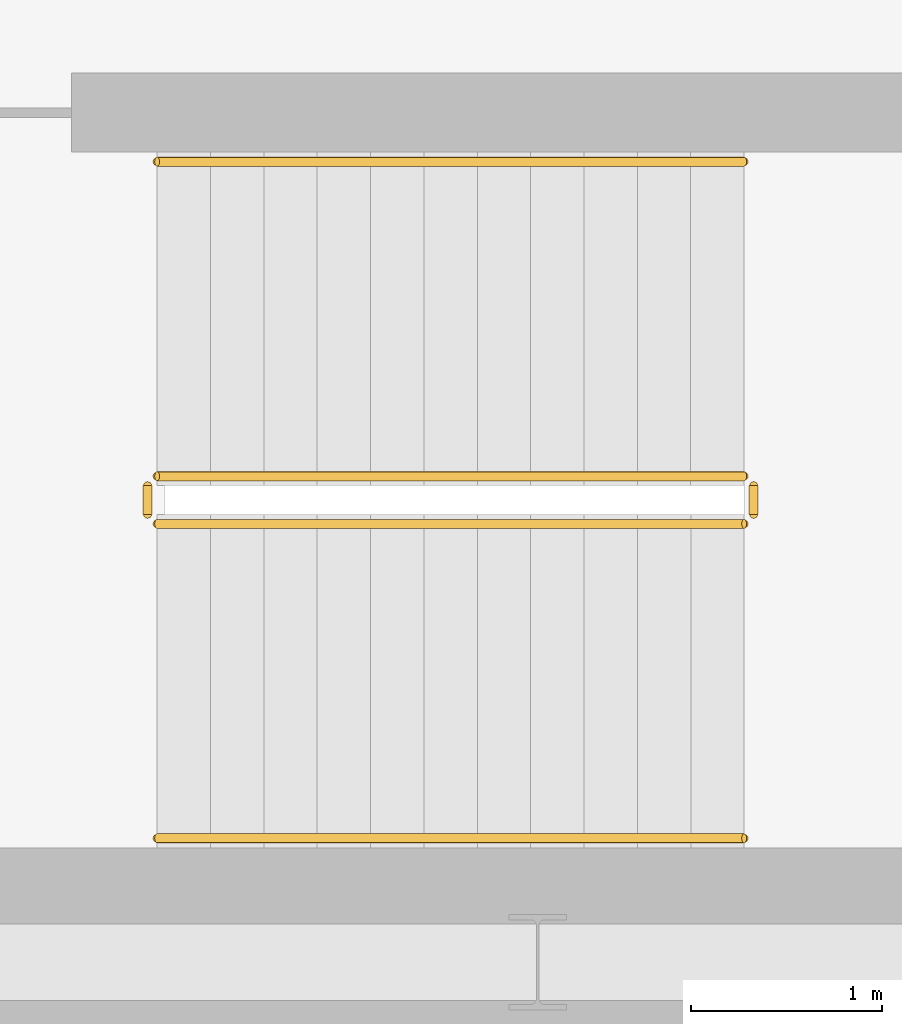
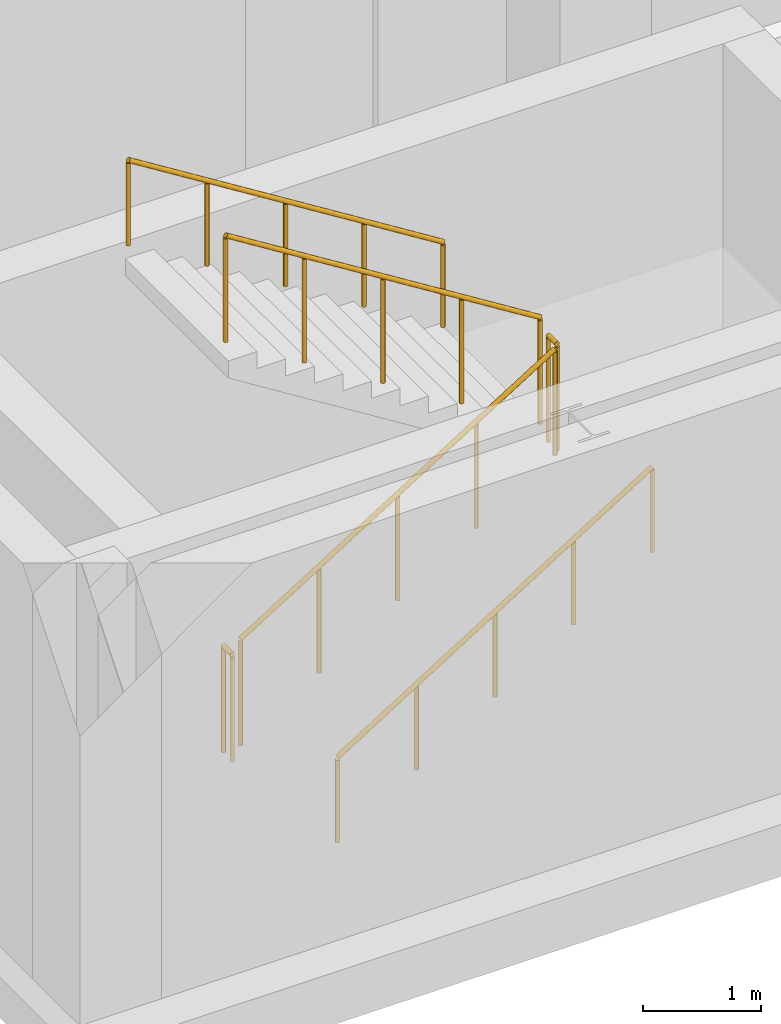
# One storey, part 26 of 31: 6 railings.
"""IFC4 building model written with IfcOpenShell, lengths in metres."""

from ifc_helpers import new_model, si_unit, direction, frame, origin, origin_2d, place, context, subcontext, project, spatial, circle, extrude, material, type_object, element, save


model = new_model("IFC4")

# Units and contexts
model_context = context("Model", 3, precision=1e-05, world=origin(), true_north=direction((0.0, 1.0)))
body_context = subcontext(model_context, "Body", "Model", "MODEL_VIEW")
ifc_project = project(units=[si_unit("LENGTHUNIT", "METRE"), si_unit("AREAUNIT", "SQUARE_METRE"), si_unit("VOLUMEUNIT", "CUBIC_METRE"), si_unit("PLANEANGLEUNIT", "RADIAN"), si_unit("MASSUNIT", "GRAM", prefix="KILO")], contexts=[model_context])

# Site, building, storey
site_placement = place(None, origin())
site = spatial("IfcSite", under=ifc_project, at=site_placement, CompositionType="ELEMENT")
building_placement = place(site_placement, origin())
building = spatial("IfcBuilding", under=site, at=building_placement, Name="Qalavern Law Courts", CompositionType="ELEMENT")
storey_placement = place(building_placement, frame((0.0, 0.0, -4.199951171875)))
storey = spatial("IfcBuildingStorey", under=building, at=storey_placement, Name="B1", CompositionType="ELEMENT", Elevation=-4.199951171875)

# Railings
ifc_material = material(Name="Steel S355", Category="steel")
railing_type_1 = type_object("IfcRailingType", Name="INT-GUARD-1120", PredefinedType="BALUSTRADE", material=ifc_material)
railing_1_placement = place(storey_placement, frame((37.35009765625, 7.89990234375, 0.175048828125)))
element("IfcRailing", 1, at=railing_1_placement, inside=storey, type_object=railing_type_1, Name="B1 ST-K4 stair guard 1", PredefinedType="BALUSTRADE", context=body_context, shape_type="SweptSolid", body=[
    extrude(circle(Radius=0.02392578125, at=origin_2d()), frame((0.0, 0.0, 1.09619140625), z_axis=(0.848009633417, 0.0, 0.529980812513), x_axis=(0.0, 1.0, 0.0)), (0.0, 0.0, 1.0), 3.6318359375),
    extrude(circle(Radius=0.02099609375, at=origin_2d()), origin(), (0.0, 0.0, 1.0), 1.072021484375),
    extrude(circle(Radius=0.02099609375, at=origin_2d()), frame((0.77001953125, 0.0, 0.481201171875)), (0.0, 0.0, 1.0), 1.072021484375),
    extrude(circle(Radius=0.02099609375, at=origin_2d()), frame((1.5400390625, 0.0, 0.96240234375)), (0.0, 0.0, 1.0), 1.072021484375),
    extrude(circle(Radius=0.02099609375, at=origin_2d()), frame((2.309814453125, 0.0, 1.443603515625)), (0.0, 0.0, 1.0), 1.072021484375),
    extrude(circle(Radius=0.02099609375, at=origin_2d()), frame((3.079833984375, 0.0, 1.9248046875)), (0.0, 0.0, 1.0), 1.072021484375),
])
railing_2_placement = place(storey_placement, frame((40.47998046875, 7.949951171875, 2.099853515625)))
element("IfcRailing", 2, at=railing_2_placement, inside=storey, type_object=railing_type_1, Name="B1 ST-K4 stair guard 2", PredefinedType="BALUSTRADE", context=body_context, shape_type="SweptSolid", body=[
    extrude(circle(Radius=0.02392578125, at=origin_2d()), frame((0.0, 0.0, 1.09619140625), z_axis=(0.0, 1.0, 0.0), x_axis=(-1.0, 0.0, 0.0)), (0.0, 0.0, 1.0), 0.150146484375),
    extrude(circle(Radius=0.02099609375, at=origin_2d()), origin(), (0.0, 0.0, 1.0), 1.072021484375),
    extrude(circle(Radius=0.02099609375, at=origin_2d()), frame((0.0, 0.150146484375, 0.0)), (0.0, 0.0, 1.0), 1.072021484375),
])
railing_3_placement = place(storey_placement, frame((40.429931640625, 8.14990234375, 2.27490234375)))
element("IfcRailing", 3, at=railing_3_placement, inside=storey, type_object=railing_type_1, Name="B1 ST-K4 stair guard 3", PredefinedType="BALUSTRADE", context=body_context, shape_type="SweptSolid", body=[
    extrude(circle(Radius=0.02392578125, at=origin_2d()), frame((0.0, 0.0, 1.09619140625), z_axis=(-0.847979421464, 0.0, 0.530029150871), x_axis=(0.0, -1.0, 0.0)), (0.0, 0.0, 1.0), 3.632080078125),
    extrude(circle(Radius=0.02099609375, at=origin_2d()), origin(), (0.0, 0.0, 1.0), 1.072021484375),
    extrude(circle(Radius=0.02099609375, at=origin_2d()), frame((-0.77001953125, 0.0, 0.481201171875)), (0.0, 0.0, 1.0), 1.072021484375),
    extrude(circle(Radius=0.02099609375, at=origin_2d()), frame((-1.5400390625, 0.0, 0.96240234375)), (0.0, 0.0, 1.0), 1.072021484375),
    extrude(circle(Radius=0.02099609375, at=origin_2d()), frame((-2.309814453125, 0.0, 1.44384765625)), (0.0, 0.0, 1.0), 1.072021484375),
    extrude(circle(Radius=0.02099609375, at=origin_2d()), frame((-3.079833984375, 0.0, 1.925048828125)), (0.0, 0.0, 1.0), 1.072021484375),
])
railing_4_placement = place(storey_placement, frame((37.300048828125, 7.949951171875, 0.0)))
element("IfcRailing", 4, at=railing_4_placement, inside=storey, type_object=railing_type_1, Name="B1 ST-K4 stair guard 4", PredefinedType="BALUSTRADE", context=body_context, shape_type="SweptSolid", body=[
    extrude(circle(Radius=0.02392578125, at=origin_2d()), frame((0.0, 0.0, 1.09619140625), z_axis=(0.0, 1.0, 0.0), x_axis=(-1.0, 0.0, 0.0)), (0.0, 0.0, 1.0), 0.150146484375),
    extrude(circle(Radius=0.02099609375, at=origin_2d()), origin(), (0.0, 0.0, 1.0), 1.072021484375),
    extrude(circle(Radius=0.02099609375, at=origin_2d()), frame((0.0, 0.150146484375, 0.0)), (0.0, 0.0, 1.0), 1.072021484375),
])
railing_type_2 = type_object("IfcRailingType", Name="INT-HRAIL-920", PredefinedType="HANDRAIL", material=ifc_material)
railing_5_placement = place(storey_placement, frame((37.35009765625, 6.25, 0.175048828125)))
element("IfcRailing", 5, at=railing_5_placement, inside=storey, type_object=railing_type_2, Name="B1 ST-K4 stair handrail 1", PredefinedType="HANDRAIL", context=body_context, shape_type="SweptSolid", body=[
    extrude(circle(Radius=0.02392578125, at=origin_2d()), frame((0.0, 0.0, 0.8759765625), z_axis=(0.848009633417, 0.0, 0.529980812513), x_axis=(0.0, 1.0, 0.0)), (0.0, 0.0, 1.0), 3.6318359375),
    extrude(circle(Radius=0.02099609375, at=origin_2d()), origin(), (0.0, 0.0, 1.0), 0.851806640625),
    extrude(circle(Radius=0.02099609375, at=origin_2d()), frame((0.77001953125, 0.0, 0.481201171875)), (0.0, 0.0, 1.0), 0.851806640625),
    extrude(circle(Radius=0.02099609375, at=origin_2d()), frame((1.5400390625, 0.0, 0.96240234375)), (0.0, 0.0, 1.0), 0.851806640625),
    extrude(circle(Radius=0.02099609375, at=origin_2d()), frame((2.309814453125, 0.0, 1.443603515625)), (0.0, 0.0, 1.0), 0.851806640625),
    extrude(circle(Radius=0.02099609375, at=origin_2d()), frame((3.079833984375, 0.0, 1.9248046875)), (0.0, 0.0, 1.0), 0.851806640625),
])
railing_6_placement = place(storey_placement, frame((40.429931640625, 9.800048828125, 2.27490234375)))
element("IfcRailing", 6, at=railing_6_placement, inside=storey, type_object=railing_type_2, Name="B1 ST-K4 stair handrail 2", PredefinedType="HANDRAIL", context=body_context, shape_type="SweptSolid", body=[
    extrude(circle(Radius=0.02392578125, at=origin_2d()), frame((0.0, 0.0, 0.8759765625), z_axis=(-0.847979421464, 0.0, 0.530029150871), x_axis=(0.0, -1.0, 0.0)), (0.0, 0.0, 1.0), 3.632080078125),
    extrude(circle(Radius=0.02099609375, at=origin_2d()), origin(), (0.0, 0.0, 1.0), 0.851806640625),
    extrude(circle(Radius=0.02099609375, at=origin_2d()), frame((-0.77001953125, 0.0, 0.481201171875)), (0.0, 0.0, 1.0), 0.851806640625),
    extrude(circle(Radius=0.02099609375, at=origin_2d()), frame((-1.5400390625, 0.0, 0.96240234375)), (0.0, 0.0, 1.0), 0.851806640625),
    extrude(circle(Radius=0.02099609375, at=origin_2d()), frame((-2.309814453125, 0.0, 1.44384765625)), (0.0, 0.0, 1.0), 0.851806640625),
    extrude(circle(Radius=0.02099609375, at=origin_2d()), frame((-3.079833984375, 0.0, 1.925048828125)), (0.0, 0.0, 1.0), 0.851806640625),
])

save(model, "model.ifc")
